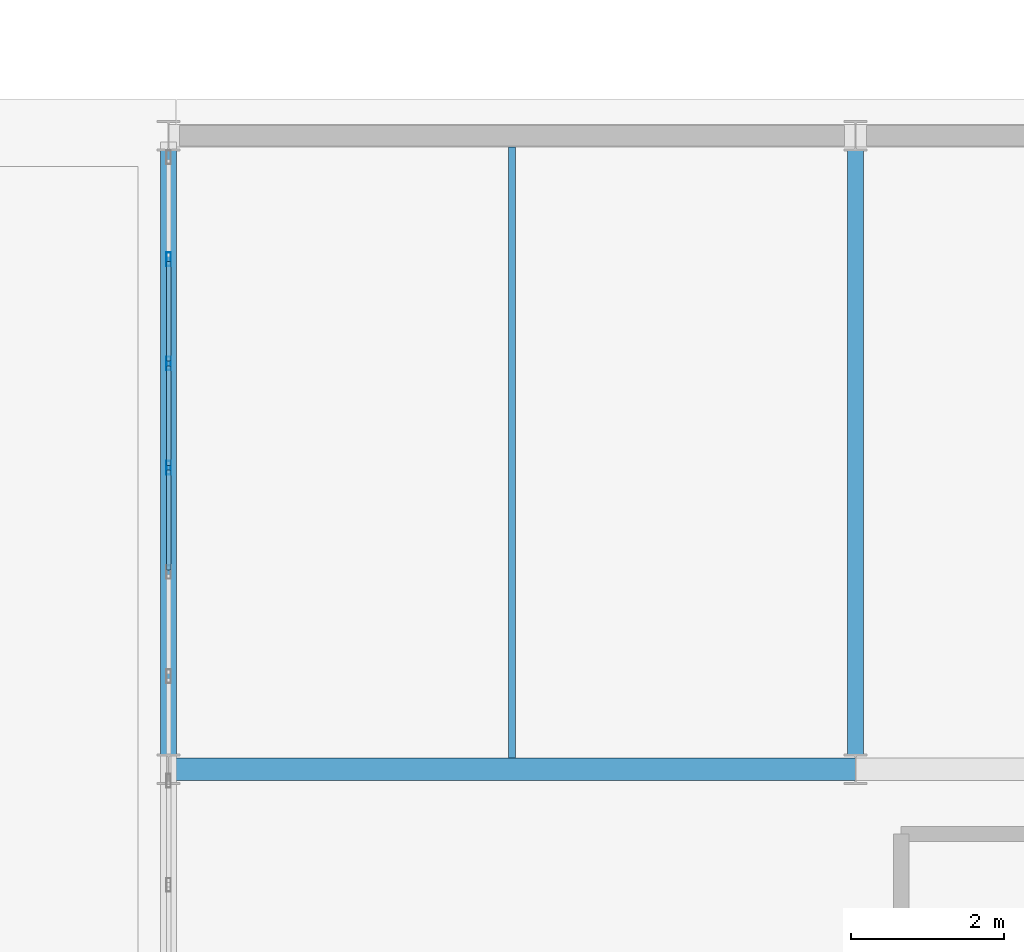
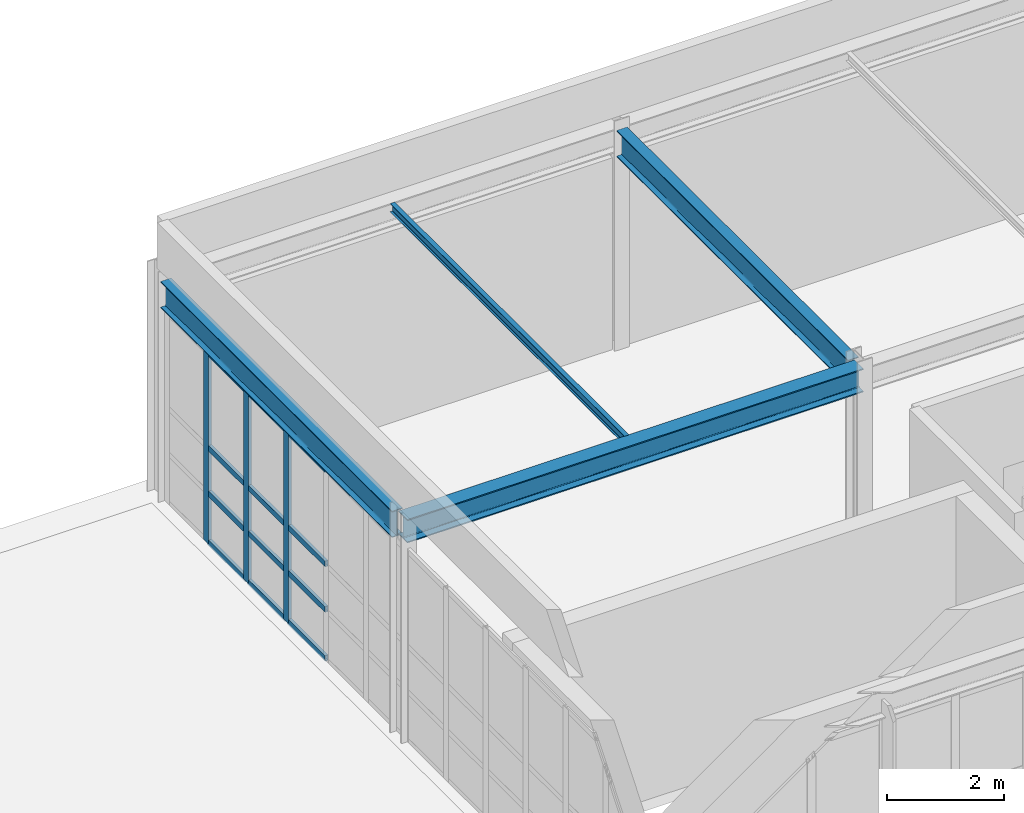
# One storey, part 8 of 38: 15 members, 4 beams, 1 element without a shape of its own.
"""IFC4 building model written with IfcOpenShell, lengths in metres."""

from ifc_helpers import new_model, si_unit, direction, frame, origin, origin_2d, place, context, subcontext, project, spatial, hollow_rectangle, i_section, extrude, material, material_profile, profile_set, type_object, element, aggregate, save


model = new_model("IFC4")

# Units and contexts
model_context = context("Model", 3, precision=1e-05, world=origin(), true_north=direction((0.0, 1.0)))
body_context = subcontext(model_context, "Body", "Model", "MODEL_VIEW")
ifc_project = project(units=[si_unit("LENGTHUNIT", "METRE"), si_unit("AREAUNIT", "SQUARE_METRE"), si_unit("VOLUMEUNIT", "CUBIC_METRE"), si_unit("PLANEANGLEUNIT", "RADIAN"), si_unit("MASSUNIT", "GRAM", prefix="KILO")], contexts=[model_context])

# Site, building, storey
site_placement = place(None, origin())
site = spatial("IfcSite", under=ifc_project, at=site_placement, CompositionType="ELEMENT")
building_placement = place(site_placement, origin())
building = spatial("IfcBuilding", under=site, at=building_placement, Name="Kaldris Quays Convention Centre", CompositionType="ELEMENT")
storey_placement = place(building_placement, frame((0.0, 0.0, 21.60009765625)))
storey = spatial("IfcBuildingStorey", under=building, at=storey_placement, Name="L04", CompositionType="ELEMENT", Elevation=21.60009765625)

# Curtain wall, members
ifc_material_1 = material(Name="Anodized aluminium AW-6060 and triple glazing", Category="aluminium")
curtain_wall_type = type_object("IfcCurtainWallType", Name="UNITISED CURTAIN WALL CW04", PredefinedType="NOTDEFINED", material=ifc_material_1)
curtain_wall_placement = place(storey_placement, origin())
curtain_wall = element("IfcCurtainWall", 1, at=curtain_wall_placement, inside=storey, type_object=curtain_wall_type, Name="L04 Unitised Curtain Wall CW04 135", PredefinedType="NOTDEFINED")
ifc_material_2 = material(Name="Anodized aluminium AW-6060", Category="aluminium")
ifc_material_profile_1 = material_profile(ifc_material_2, hollow_rectangle(XDim=0.06005859375, YDim=0.179931640625, WallThickness=0.0048828125, at=origin_2d()), Name="RHS 180x60x5")
ifc_profile_set_1 = profile_set([ifc_material_profile_1], Name="Anodized aluminium AW-6060")
member_type_1 = type_object("IfcMemberType", Name="CURTAIN MULLION CWM2", PredefinedType="MULLION", material=ifc_profile_set_1)
member_1_placement = place(storey_placement, frame((92.0, 50.550048828125, 0.0), z_axis=(0.0, 0.0, 1.0), x_axis=(-1.0, 0.0, 0.0)))
member_1 = element("IfcMember", 2, at=member_1_placement, type_object=member_type_1, Name="CW04 mullion 10", PredefinedType="MULLION", context=body_context, shape_type="SweptSolid", body=[
    extrude(hollow_rectangle(XDim=0.06005859375, YDim=0.179931640625, WallThickness=0.0048828125, at=origin_2d()), origin(), (0.0, 0.0, 1.0), 4.0),
])
member_2_placement = place(storey_placement, frame((92.0, 51.916748046875, 0.0), z_axis=(0.0, 0.0, 1.0), x_axis=(-1.0, 0.0, 0.0)))
member_2 = element("IfcMember", 3, at=member_2_placement, type_object=member_type_1, Name="CW04 mullion 11", PredefinedType="MULLION", context=body_context, shape_type="SweptSolid", body=[
    extrude(hollow_rectangle(XDim=0.06005859375, YDim=0.179931640625, WallThickness=0.0048828125, at=origin_2d()), origin(), (0.0, 0.0, 1.0), 4.0),
])
member_3_placement = place(storey_placement, frame((92.0, 53.283447265625, 0.0), z_axis=(0.0, 0.0, 1.0), x_axis=(-1.0, 0.0, 0.0)))
member_3 = element("IfcMember", 4, at=member_3_placement, type_object=member_type_1, Name="CW04 mullion 12", PredefinedType="MULLION", context=body_context, shape_type="SweptSolid", body=[
    extrude(hollow_rectangle(XDim=0.06005859375, YDim=0.179931640625, WallThickness=0.0048828125, at=origin_2d()), origin(), (0.0, 0.0, 1.0), 4.0),
])
ifc_material_profile_2 = material_profile(ifc_material_2, hollow_rectangle(XDim=0.06005859375, YDim=0.1201171875, WallThickness=0.00390625, at=origin_2d()), Name="RHS 120x60x4")
ifc_profile_set_2 = profile_set([ifc_material_profile_2], Name="Anodized aluminium AW-6060")
member_type_2 = type_object("IfcMemberType", Name="CURTAIN TRANSOM CWT1", PredefinedType="USERDEFINED", material=ifc_profile_set_2)
member_4_placement = place(storey_placement, frame((92.0, 49.21337890625, 0.02978515625), z_axis=(0.0, 1.0, 0.0), x_axis=(-1.0, 0.0, 0.0)))
member_4 = element("IfcMember", 5, at=member_4_placement, type_object=member_type_2, Name="CW04 transom 9.1", ObjectType="TRANSOM", PredefinedType="USERDEFINED", context=body_context, shape_type="SweptSolid", body=[
    extrude(hollow_rectangle(XDim=0.06005859375, YDim=0.1201171875, WallThickness=0.00390625, at=origin_2d()), origin(), (0.0, 0.0, 1.0), 1.306640625),
])
member_5_placement = place(storey_placement, frame((92.0, 49.21337890625, 1.0498046875), z_axis=(0.0, 1.0, 0.0), x_axis=(-1.0, 0.0, 0.0)))
member_5 = element("IfcMember", 6, at=member_5_placement, type_object=member_type_2, Name="CW04 transom 9.2", ObjectType="TRANSOM", PredefinedType="USERDEFINED", context=body_context, shape_type="SweptSolid", body=[
    extrude(hollow_rectangle(XDim=0.06005859375, YDim=0.1201171875, WallThickness=0.00390625, at=origin_2d()), origin(), (0.0, 0.0, 1.0), 1.306640625),
])
member_6_placement = place(storey_placement, frame((92.0, 49.21337890625, 2.0), z_axis=(0.0, 1.0, 0.0), x_axis=(-1.0, 0.0, 0.0)))
member_6 = element("IfcMember", 7, at=member_6_placement, type_object=member_type_2, Name="CW04 transom 9.3", ObjectType="TRANSOM", PredefinedType="USERDEFINED", context=body_context, shape_type="SweptSolid", body=[
    extrude(hollow_rectangle(XDim=0.06005859375, YDim=0.1201171875, WallThickness=0.00390625, at=origin_2d()), origin(), (0.0, 0.0, 1.0), 1.306640625),
])
member_7_placement = place(storey_placement, frame((92.0, 49.21337890625, 3.969970703125), z_axis=(0.0, 1.0, 0.0), x_axis=(-1.0, 0.0, 0.0)))
member_7 = element("IfcMember", 8, at=member_7_placement, type_object=member_type_2, Name="CW04 transom 9.4", ObjectType="TRANSOM", PredefinedType="USERDEFINED", context=body_context, shape_type="SweptSolid", body=[
    extrude(hollow_rectangle(XDim=0.06005859375, YDim=0.1201171875, WallThickness=0.00390625, at=origin_2d()), origin(), (0.0, 0.0, 1.0), 1.306640625),
])
member_8_placement = place(storey_placement, frame((92.0, 50.580078125, 0.02978515625), z_axis=(0.0, 1.0, 0.0), x_axis=(-1.0, 0.0, 0.0)))
member_8 = element("IfcMember", 9, at=member_8_placement, type_object=member_type_2, Name="CW04 transom 10.1", ObjectType="TRANSOM", PredefinedType="USERDEFINED", context=body_context, shape_type="SweptSolid", body=[
    extrude(hollow_rectangle(XDim=0.06005859375, YDim=0.1201171875, WallThickness=0.00390625, at=origin_2d()), origin(), (0.0, 0.0, 1.0), 1.306640625),
])
member_9_placement = place(storey_placement, frame((92.0, 50.580078125, 1.0498046875), z_axis=(0.0, 1.0, 0.0), x_axis=(-1.0, 0.0, 0.0)))
member_9 = element("IfcMember", 10, at=member_9_placement, type_object=member_type_2, Name="CW04 transom 10.2", ObjectType="TRANSOM", PredefinedType="USERDEFINED", context=body_context, shape_type="SweptSolid", body=[
    extrude(hollow_rectangle(XDim=0.06005859375, YDim=0.1201171875, WallThickness=0.00390625, at=origin_2d()), origin(), (0.0, 0.0, 1.0), 1.306640625),
])
member_10_placement = place(storey_placement, frame((92.0, 50.580078125, 2.0), z_axis=(0.0, 1.0, 0.0), x_axis=(-1.0, 0.0, 0.0)))
member_10 = element("IfcMember", 11, at=member_10_placement, type_object=member_type_2, Name="CW04 transom 10.3", ObjectType="TRANSOM", PredefinedType="USERDEFINED", context=body_context, shape_type="SweptSolid", body=[
    extrude(hollow_rectangle(XDim=0.06005859375, YDim=0.1201171875, WallThickness=0.00390625, at=origin_2d()), origin(), (0.0, 0.0, 1.0), 1.306640625),
])
member_11_placement = place(storey_placement, frame((92.0, 50.580078125, 3.969970703125), z_axis=(0.0, 1.0, 0.0), x_axis=(-1.0, 0.0, 0.0)))
member_11 = element("IfcMember", 12, at=member_11_placement, type_object=member_type_2, Name="CW04 transom 10.4", ObjectType="TRANSOM", PredefinedType="USERDEFINED", context=body_context, shape_type="SweptSolid", body=[
    extrude(hollow_rectangle(XDim=0.06005859375, YDim=0.1201171875, WallThickness=0.00390625, at=origin_2d()), origin(), (0.0, 0.0, 1.0), 1.306640625),
])
member_12_placement = place(storey_placement, frame((92.0, 51.94677734375, 0.02978515625), z_axis=(0.0, 1.0, 0.0), x_axis=(-1.0, 0.0, 0.0)))
member_12 = element("IfcMember", 13, at=member_12_placement, type_object=member_type_2, Name="CW04 transom 11.1", ObjectType="TRANSOM", PredefinedType="USERDEFINED", context=body_context, shape_type="SweptSolid", body=[
    extrude(hollow_rectangle(XDim=0.06005859375, YDim=0.1201171875, WallThickness=0.00390625, at=origin_2d()), origin(), (0.0, 0.0, 1.0), 1.306640625),
])
member_13_placement = place(storey_placement, frame((92.0, 51.94677734375, 1.0498046875), z_axis=(0.0, 1.0, 0.0), x_axis=(-1.0, 0.0, 0.0)))
member_13 = element("IfcMember", 14, at=member_13_placement, type_object=member_type_2, Name="CW04 transom 11.2", ObjectType="TRANSOM", PredefinedType="USERDEFINED", context=body_context, shape_type="SweptSolid", body=[
    extrude(hollow_rectangle(XDim=0.06005859375, YDim=0.1201171875, WallThickness=0.00390625, at=origin_2d()), origin(), (0.0, 0.0, 1.0), 1.306640625),
])
member_14_placement = place(storey_placement, frame((92.0, 51.94677734375, 2.0), z_axis=(0.0, 1.0, 0.0), x_axis=(-1.0, 0.0, 0.0)))
member_14 = element("IfcMember", 15, at=member_14_placement, type_object=member_type_2, Name="CW04 transom 11.3", ObjectType="TRANSOM", PredefinedType="USERDEFINED", context=body_context, shape_type="SweptSolid", body=[
    extrude(hollow_rectangle(XDim=0.06005859375, YDim=0.1201171875, WallThickness=0.00390625, at=origin_2d()), origin(), (0.0, 0.0, 1.0), 1.306640625),
])
member_15_placement = place(storey_placement, frame((92.0, 51.94677734375, 3.969970703125), z_axis=(0.0, 1.0, 0.0), x_axis=(-1.0, 0.0, 0.0)))
member_15 = element("IfcMember", 16, at=member_15_placement, type_object=member_type_2, Name="CW04 transom 11.4", ObjectType="TRANSOM", PredefinedType="USERDEFINED", context=body_context, shape_type="SweptSolid", body=[
    extrude(hollow_rectangle(XDim=0.06005859375, YDim=0.1201171875, WallThickness=0.00390625, at=origin_2d()), origin(), (0.0, 0.0, 1.0), 1.306640625),
])
aggregate(curtain_wall, [member_1, member_2, member_3, member_4, member_5, member_6, member_7, member_8, member_9, member_10, member_11, member_12, member_13, member_14, member_15])

# Beams
ifc_material_3 = material(Name="Steel S355J2", Category="steel")
ifc_material_profile_3 = material_profile(ifc_material_3, i_section(OverallWidth=0.300048828125, OverallDepth=0.489990234375, WebThickness=0.011962890625, FlangeThickness=0.02294921875, FilletRadius=0.027099609375, at=origin_2d()), Name="HEA 500")
ifc_profile_set_3 = profile_set([ifc_material_profile_3], Name="Steel S355J2")
beam_type_1 = type_object("IfcBeamType", Name="STRUCTURAL BEAM BM09", PredefinedType="BEAM", material=ifc_profile_set_3)
beam_1_placement = place(storey_placement, frame((92.000732421875, 46.60009765625, 4.347900390625), z_axis=(1.0, 0.0, 0.0), x_axis=(0.0, 1.0, 0.0)))
element("IfcBeam", 17, at=beam_1_placement, inside=storey, type_object=beam_type_1, Name="L04 Girder BM09 9", PredefinedType="BEAM", context=body_context, shape_type="SweptSolid", body=[
    extrude(i_section(OverallWidth=0.300048828125, OverallDepth=0.489990234375, WebThickness=0.011962890625, FlangeThickness=0.02294921875, FilletRadius=0.027099609375, at=origin_2d()), origin(), (0.0, 0.0, 1.0), 8.99853515625),
])
ifc_material_profile_4 = material_profile(ifc_material_3, i_section(OverallWidth=0.2099609375, OverallDepth=0.550048828125, WebThickness=0.010986328125, FlangeThickness=0.01708984375, FilletRadius=0.02392578125, at=origin_2d()), Name="IPE 550")
ifc_profile_set_4 = profile_set([ifc_material_profile_4], Name="Steel S355J2")
beam_type_2 = type_object("IfcBeamType", Name="STRUCTURAL BEAM BM11", PredefinedType="BEAM", material=ifc_profile_set_4)
for number, where, z_axis, x_axis, name in (
    (18, (92.0, 46.7939453125, 4.31787109375), (0.0, 1.0, 0.0), (-1.0, 0.0, 0.0), "L04 Girder BM11 38"),
    (19, (101.0, 46.7939453125, 4.31787109375), (0.0, 1.0, 0.0), (-1.0, 0.0, 0.0), "L04 Girder BM11 39"),
):
    element("IfcBeam", number, at=place(storey_placement, frame(where, z_axis=z_axis, x_axis=x_axis)), inside=storey, type_object=beam_type_2, Name=name, PredefinedType="BEAM", context=body_context, shape_type="SweptSolid", body=[
        extrude(i_section(OverallWidth=0.2099609375, OverallDepth=0.550048828125, WebThickness=0.010986328125, FlangeThickness=0.01708984375, FilletRadius=0.02392578125, at=origin_2d()), origin(), (0.0, 0.0, 1.0), 7.912109375),
    ])
ifc_material_profile_5 = material_profile(ifc_material_3, i_section(OverallWidth=0.091064453125, OverallDepth=0.179931640625, WebThickness=0.00537109375, FlangeThickness=0.008056640625, FilletRadius=0.009033203125, at=origin_2d()), Name="IPE 180")
ifc_profile_set_5 = profile_set([ifc_material_profile_5], Name="Steel S355J2")
beam_type_3 = type_object("IfcBeamType", Name="STRUCTURAL BEAM JT10", PredefinedType="JOIST", material=ifc_profile_set_5)
beam_2_placement = place(storey_placement, frame((96.5, 46.743896484375, 4.5029296875), z_axis=(0.0, 1.0, 0.0), x_axis=(-1.0, 0.0, 0.0)))
element("IfcBeam", 20, at=beam_2_placement, inside=storey, type_object=beam_type_3, Name="L04 Secondary Joist JT10 3", PredefinedType="JOIST", context=body_context, shape_type="SweptSolid", body=[
    extrude(i_section(OverallWidth=0.091064453125, OverallDepth=0.179931640625, WebThickness=0.00537109375, FlangeThickness=0.008056640625, FilletRadius=0.009033203125, at=origin_2d()), origin(), (0.0, 0.0, 1.0), 8.01220703125),
])

save(model, "model.ifc")
